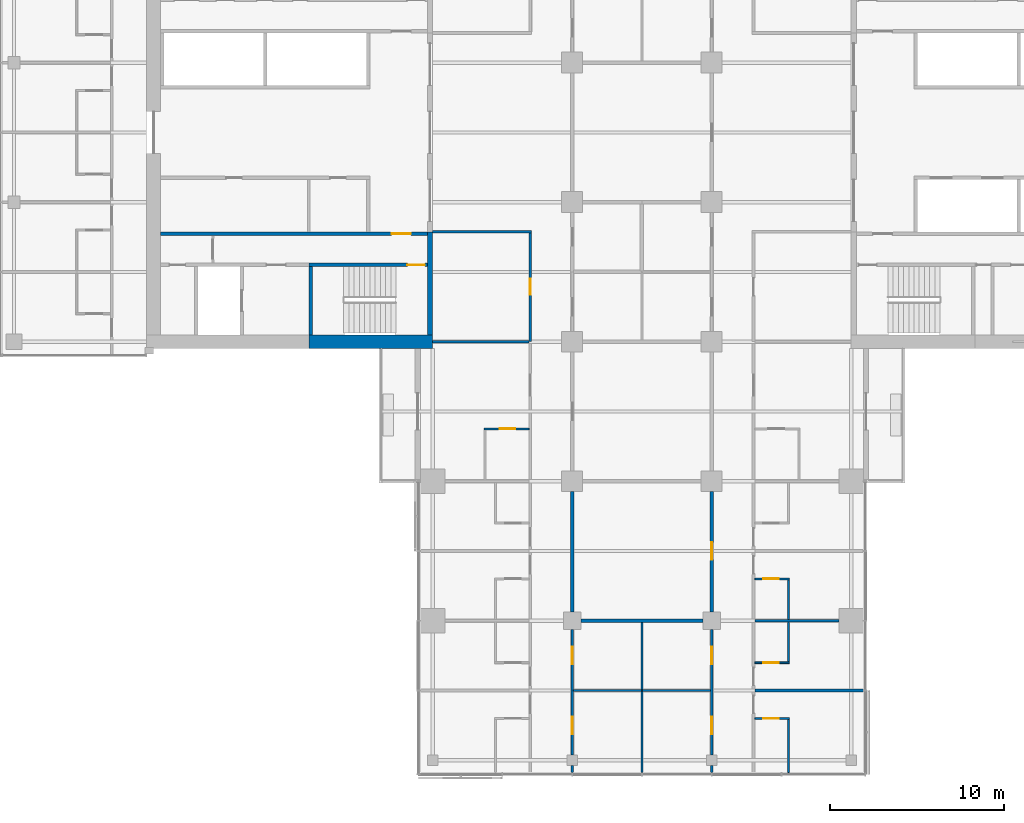
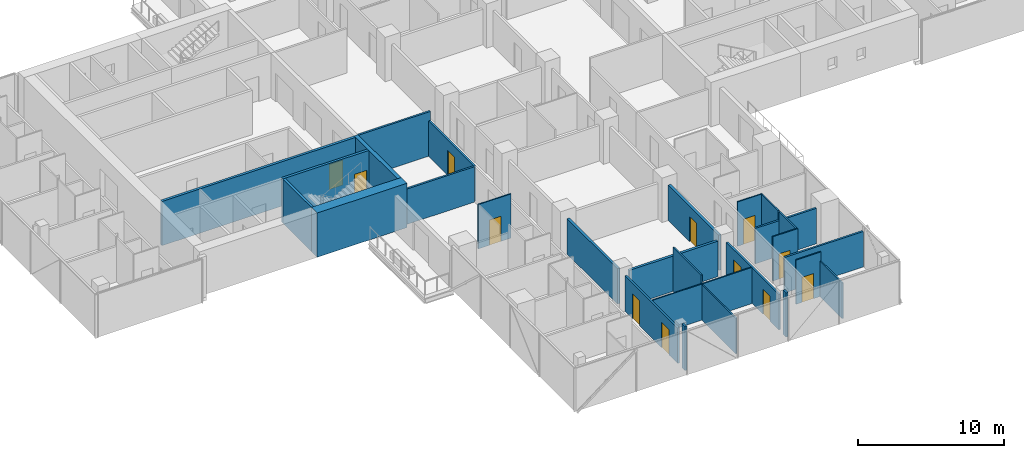
# One storey, part 16 of 29: 27 walls, 12 doors, 12 openings.
"""IFC4 building model written with IfcOpenShell, lengths in metres."""

from ifc_helpers import new_model, si_unit, direction, frame, frame_2d, origin, place, context, subcontext, project, spatial, rectangle, extrude, material, layer, layer_set, constituent, constituent_set, type_object, element, fill, save


model = new_model("IFC4")

# Units and contexts
model_context = context("Model", 3, precision=1e-05, world=origin(), true_north=direction((0.0, 1.0)))
body_context = subcontext(model_context, "Body", "Model", "MODEL_VIEW")
ifc_project = project(units=[si_unit("LENGTHUNIT", "METRE"), si_unit("AREAUNIT", "SQUARE_METRE"), si_unit("VOLUMEUNIT", "CUBIC_METRE"), si_unit("PLANEANGLEUNIT", "RADIAN"), si_unit("MASSUNIT", "GRAM", prefix="KILO")], contexts=[model_context])

# Site, building, storey
site_placement = place(None, origin())
site = spatial("IfcSite", under=ifc_project, at=site_placement, CompositionType="ELEMENT")
building_placement = place(site_placement, origin())
building = spatial("IfcBuilding", under=site, at=building_placement, Name="Crosswind Convention Tower", CompositionType="ELEMENT")
storey_placement = place(building_placement, frame((0.0, 0.0, 60.89990234375)))
storey = spatial("IfcBuildingStorey", under=building, at=storey_placement, Name="L09", CompositionType="ELEMENT", Elevation=60.89990234375)

# Wall
ifc_material_1 = material(Name="Plasterboard partition", Category="gypsum")
ifc_layer_1 = layer(ifc_material_1, 0.14990234375)
ifc_layer_set_1 = layer_set([ifc_layer_1], Name="CORRIDOR WALL 150")
wall_type_1 = type_object("IfcWallType", Name="CORRIDOR WALL 150", PredefinedType="PARTITIONING", material=ifc_layer_set_1)
wall_1_placement = place(storey_placement, frame((113.0, 94.300048828125, 0.0), z_axis=(0.0, 0.0, 1.0), x_axis=(1.0, 0.0, 0.0)))
element("IfcWall", 1, at=wall_1_placement, inside=storey, type_object=wall_type_1, Name="Corridor Wall 31", PredefinedType="PARTITIONING", context=body_context, shape_type="SweptSolid", body=[
    extrude(rectangle(XDim=5.675048828125, YDim=0.14990234375, at=frame_2d((2.83740234375, 0.0))), origin(), (0.0, 0.0, 1.0), 3.7001953125),
])

# Wall, opening, door
wall_2_placement = place(storey_placement, frame((118.60009765625, 88.0, 0.0), z_axis=(0.0, 0.0, 1.0), x_axis=(0.0, 1.0, 0.0)))
wall_2 = element("IfcWall", 2, at=wall_2_placement, inside=storey, type_object=wall_type_1, Name="Corridor Wall 104", PredefinedType="PARTITIONING", context=body_context, shape_type="SweptSolid", body=[
    extrude(rectangle(XDim=6.22509765625, YDim=0.14990234375, at=frame_2d((3.112548828125, 0.0))), origin(), (0.0, 0.0, 1.0), 2.95654296875),
])
opening_1_placement = place(wall_2_placement, frame((2.699951171875, 0.0, 0.0)))
opening_1 = element("IfcOpeningElement", 3, at=opening_1_placement, cuts=wall_2, Name="Opening 09.004", PredefinedType="OPENING", context=body_context, shape_type="SweptSolid", body=[
    extrude(rectangle(XDim=0.89990234375, YDim=2.10009765625, at=frame_2d((0.449951171875, 1.050048828125))), frame((0.0, 0.0849609375, 0.0), z_axis=(0.0, -1.0, 0.0), x_axis=(1.0, 0.0, 0.0)), (0.0, 0.0, 1.0), 0.169921875),
])
ifc_material_2 = material(Name="Timber door", Category="wood")
door_type_1 = type_object("IfcDoorType", Name="WC DOOR 900X2100", OperationType="NOTDEFINED", PredefinedType="DOOR", material=ifc_material_2)
door_1_placement = place(opening_1_placement, origin())
door_1 = element("IfcDoor", 4, at=door_1_placement, inside=storey, type_object=door_type_1, Name="Door 09.004", ObjectType="D7", OperationType="SINGLE_SWING_RIGHT", OverallHeight=2.10009765625, OverallWidth=0.89990234375, PredefinedType="DOOR", context=body_context, shape_type="SweptSolid", body=[
    extrude(rectangle(XDim=0.89990234375, YDim=2.10009765625, at=frame_2d((0.449951171875, 1.050048828125))), frame((0.0, 0.02490234375, 0.0), z_axis=(0.0, -1.0, 0.0), x_axis=(1.0, 0.0, 0.0)), (0.0, 0.0, 1.0), 0.050048828125),
])
fill(opening_1, door_1)

# Wall
wall_3_placement = place(storey_placement, frame((121.0, 63.300048828125, 0.0), z_axis=(0.0, 0.0, 1.0), x_axis=(0.0, 1.0, 0.0)))
element("IfcWall", 5, at=wall_3_placement, inside=storey, type_object=wall_type_1, Name="Corridor Wall 107", PredefinedType="PARTITIONING", context=body_context, shape_type="SweptSolid", body=[
    extrude(rectangle(XDim=0.39990234375, YDim=0.14990234375, at=frame_2d((0.199951171875, 0.0))), origin(), (0.0, 0.0, 1.0), 3.7001953125),
])

# Wall, openings, doors
wall_4_placement = place(storey_placement, frame((121.0, 64.300048828125, 0.0), z_axis=(0.0, 0.0, 1.0), x_axis=(0.0, 1.0, 0.0)))
wall_4 = element("IfcWall", 6, at=wall_4_placement, inside=storey, type_object=wall_type_1, Name="Corridor Wall 108", PredefinedType="PARTITIONING", context=body_context, shape_type="SweptSolid", body=[
    extrude(rectangle(XDim=7.199951171875, YDim=0.14990234375, at=frame_2d((3.60009765625, 0.0))), origin(), (0.0, 0.0, 1.0), 2.9599609375),
])
opening_2_placement = place(wall_4_placement, frame((1.199951171875, 0.0, 0.0)))
opening_2 = element("IfcOpeningElement", 7, at=opening_2_placement, cuts=wall_4, Name="Opening 09.069", PredefinedType="OPENING", context=body_context, shape_type="SweptSolid", body=[
    extrude(rectangle(XDim=1.0, YDim=2.10009765625, at=frame_2d((0.5, 1.050048828125))), frame((0.0, 0.0849609375, 0.0), z_axis=(0.0, -1.0, 0.0), x_axis=(1.0, 0.0, 0.0)), (0.0, 0.0, 1.0), 0.169921875),
])
opening_3_placement = place(wall_4_placement, frame((5.199951171875, 0.0, 0.0)))
opening_3 = element("IfcOpeningElement", 8, at=opening_3_placement, cuts=wall_4, Name="Opening 09.070", PredefinedType="OPENING", context=body_context, shape_type="SweptSolid", body=[
    extrude(rectangle(XDim=1.0, YDim=2.10009765625, at=frame_2d((0.5, 1.050048828125))), frame((0.0, 0.0849609375, 0.0), z_axis=(0.0, -1.0, 0.0), x_axis=(1.0, 0.0, 0.0)), (0.0, 0.0, 1.0), 0.169921875),
])
ifc_material_3 = material(Name="Timber fire door", Category="wood")
door_type_2 = type_object("IfcDoorType", Name="SERVICE ROOM DOOR 1000X2100", OperationType="NOTDEFINED", PredefinedType="DOOR", material=ifc_material_3)
door_2_placement = place(opening_2_placement, frame((1.0, 0.0, 0.0), z_axis=(0.0, 0.0, 1.0), x_axis=(-1.0, 0.0, 0.0)))
door_2 = element("IfcDoor", 9, at=door_2_placement, inside=storey, type_object=door_type_2, Name="Door 09.069", ObjectType="D3", OperationType="SINGLE_SWING_RIGHT", OverallHeight=2.10009765625, OverallWidth=1.0, PredefinedType="DOOR", context=body_context, shape_type="SweptSolid", body=[
    extrude(rectangle(XDim=1.0, YDim=2.10009765625, at=frame_2d((0.5, 1.050048828125))), frame((0.0, 0.02490234375, 0.0), z_axis=(0.0, -1.0, 0.0), x_axis=(1.0, 0.0, 0.0)), (0.0, 0.0, 1.0), 0.050048828125),
])
fill(opening_2, door_2)
door_3_placement = place(opening_3_placement, frame((1.0, 0.0, 0.0), z_axis=(0.0, 0.0, 1.0), x_axis=(-1.0, 0.0, 0.0)))
door_3 = element("IfcDoor", 10, at=door_3_placement, inside=storey, type_object=door_type_2, Name="Door 09.070", ObjectType="D3", OperationType="SINGLE_SWING_LEFT", OverallHeight=2.10009765625, OverallWidth=1.0, PredefinedType="DOOR", context=body_context, shape_type="SweptSolid", body=[
    extrude(rectangle(XDim=1.0, YDim=2.10009765625, at=frame_2d((0.5, 1.050048828125))), frame((0.0, 0.02490234375, 0.0), z_axis=(0.0, -1.0, 0.0), x_axis=(1.0, 0.0, 0.0)), (0.0, 0.0, 1.0), 0.050048828125),
])
fill(opening_3, door_3)

# Wall
wall_5_placement = place(storey_placement, frame((129.0, 63.300048828125, 0.0), z_axis=(0.0, 0.0, 1.0), x_axis=(0.0, 1.0, 0.0)))
element("IfcWall", 11, at=wall_5_placement, inside=storey, type_object=wall_type_1, Name="Corridor Wall 128", PredefinedType="PARTITIONING", context=body_context, shape_type="SweptSolid", body=[
    extrude(rectangle(XDim=0.39990234375, YDim=0.14990234375, at=frame_2d((0.199951171875, 0.0))), origin(), (0.0, 0.0, 1.0), 3.7001953125),
])

# Wall, openings, doors
wall_6_placement = place(storey_placement, frame((129.0, 64.300048828125, 0.0), z_axis=(0.0, 0.0, 1.0), x_axis=(0.0, 1.0, 0.0)))
wall_6 = element("IfcWall", 12, at=wall_6_placement, inside=storey, type_object=wall_type_1, Name="Corridor Wall 129", PredefinedType="PARTITIONING", context=body_context, shape_type="SweptSolid", body=[
    extrude(rectangle(XDim=7.199951171875, YDim=0.14990234375, at=frame_2d((3.60009765625, 0.0))), origin(), (0.0, 0.0, 1.0), 2.9599609375),
])
opening_4_placement = place(wall_6_placement, frame((1.199951171875, 0.0, 0.0)))
opening_4 = element("IfcOpeningElement", 13, at=opening_4_placement, cuts=wall_6, Name="Opening 09.071", PredefinedType="OPENING", context=body_context, shape_type="SweptSolid", body=[
    extrude(rectangle(XDim=1.0, YDim=2.10009765625, at=frame_2d((0.5, 1.050048828125))), frame((0.0, 0.0849609375, 0.0), z_axis=(0.0, -1.0, 0.0), x_axis=(1.0, 0.0, 0.0)), (0.0, 0.0, 1.0), 0.169921875),
])
opening_5_placement = place(wall_6_placement, frame((5.199951171875, 0.0, 0.0)))
opening_5 = element("IfcOpeningElement", 14, at=opening_5_placement, cuts=wall_6, Name="Opening 09.072", PredefinedType="OPENING", context=body_context, shape_type="SweptSolid", body=[
    extrude(rectangle(XDim=1.0, YDim=2.10009765625, at=frame_2d((0.5, 1.050048828125))), frame((0.0, 0.0849609375, 0.0), z_axis=(0.0, -1.0, 0.0), x_axis=(1.0, 0.0, 0.0)), (0.0, 0.0, 1.0), 0.169921875),
])
door_4_placement = place(opening_4_placement, origin())
door_4 = element("IfcDoor", 15, at=door_4_placement, inside=storey, type_object=door_type_2, Name="Door 09.071", ObjectType="D3", OperationType="SINGLE_SWING_LEFT", OverallHeight=2.10009765625, OverallWidth=1.0, PredefinedType="DOOR", context=body_context, shape_type="SweptSolid", body=[
    extrude(rectangle(XDim=1.0, YDim=2.10009765625, at=frame_2d((0.5, 1.050048828125))), frame((0.0, 0.02490234375, 0.0), z_axis=(0.0, -1.0, 0.0), x_axis=(1.0, 0.0, 0.0)), (0.0, 0.0, 1.0), 0.050048828125),
])
fill(opening_4, door_4)
door_5_placement = place(opening_5_placement, origin())
door_5 = element("IfcDoor", 16, at=door_5_placement, inside=storey, type_object=door_type_2, Name="Door 09.072", ObjectType="D3", OperationType="SINGLE_SWING_RIGHT", OverallHeight=2.10009765625, OverallWidth=1.0, PredefinedType="DOOR", context=body_context, shape_type="SweptSolid", body=[
    extrude(rectangle(XDim=1.0, YDim=2.10009765625, at=frame_2d((0.5, 1.050048828125))), frame((0.0, 0.02490234375, 0.0), z_axis=(0.0, -1.0, 0.0), x_axis=(1.0, 0.0, 0.0)), (0.0, 0.0, 1.0), 0.050048828125),
])
fill(opening_5, door_5)

# Wall
ifc_material_4 = material(Name="Concrete C50/60", Category="concrete")
ifc_layer_2 = layer(ifc_material_4, 0.300048828125)
ifc_layer_set_2 = layer_set([ifc_layer_2], Name="Concrete C50/60")
wall_type_2 = type_object("IfcWallType", Name="Concrete inner core wall 300", PredefinedType="SHEAR", material=ifc_layer_set_2)
wall_7_placement = place(storey_placement, frame((112.85009765625, 94.300048828125, 0.0), z_axis=(0.0, 0.0, 1.0), x_axis=(0.0, -1.0, 0.0)))
element("IfcWall", 17, at=wall_7_placement, inside=storey, type_object=wall_type_2, Name="Wall EP W L09", PredefinedType="SHEAR", context=body_context, shape_type="SweptSolid", body=[
    extrude(rectangle(XDim=5.900146484375, YDim=0.300048828125, at=frame_2d((2.9501953125, 0.0))), origin(), (0.0, 0.0, 1.0), 3.7001953125),
])

# Wall, opening, door
ifc_layer_3 = layer(ifc_material_4, 0.199951171875)
ifc_layer_set_3 = layer_set([ifc_layer_3], Name="Concrete C50/60")
wall_type_3 = type_object("IfcWallType", Name="Concrete shaft and stair wall 200", PredefinedType="SHEAR", material=ifc_layer_set_3)
wall_8_placement = place(storey_placement, frame((112.699951171875, 94.199951171875, 0.0), z_axis=(0.0, 0.0, 1.0), x_axis=(-1.0, 0.0, 0.0)))
wall_8 = element("IfcWall", 18, at=wall_8_placement, inside=storey, type_object=wall_type_3, Name="Wall HP W L09", PredefinedType="SHEAR", context=body_context, shape_type="SweptSolid", body=[
    extrude(rectangle(XDim=15.300048828125, YDim=0.199951171875, at=frame_2d((7.64990234375, 0.0))), origin(), (0.0, 0.0, 1.0), 3.7001953125),
])
opening_6_placement = place(wall_8_placement, frame((0.949951171875, 0.0, 0.0)))
opening_6 = element("IfcOpeningElement", 19, at=opening_6_placement, cuts=wall_8, Name="Opening D104", PredefinedType="OPENING", context=body_context, shape_type="SweptSolid", body=[
    extrude(rectangle(XDim=1.10009765625, YDim=2.10009765625, at=frame_2d((0.550048828125, 1.050048828125))), frame((0.0, 0.10986328125, 0.0), z_axis=(0.0, -1.0, 0.0), x_axis=(1.0, 0.0, 0.0)), (0.0, 0.0, 1.0), 0.219970703125),
])
ifc_material_5 = material(Name="Steel fire door", Category="steel")
door_type_3 = type_object("IfcDoorType", Name="Fire-rated single door 1100x2100", OperationType="NOTDEFINED", PredefinedType="DOOR", material=ifc_material_5)
door_6_placement = place(opening_6_placement, origin())
door_6 = element("IfcDoor", 20, at=door_6_placement, inside=storey, type_object=door_type_3, Name="Corridor door L09", ObjectType="D104", OperationType="SINGLE_SWING_LEFT", OverallHeight=2.10009765625, OverallWidth=1.10009765625, PredefinedType="DOOR", context=body_context, shape_type="SweptSolid", body=[
    extrude(rectangle(XDim=1.10009765625, YDim=2.10009765625, at=frame_2d((0.550048828125, 1.050048828125))), frame((0.0, 0.02490234375, 0.0), z_axis=(0.0, -1.0, 0.0), x_axis=(1.0, 0.0, 0.0)), (0.0, 0.0, 1.0), 0.050048828125),
])
fill(opening_6, door_6)

# Wall
wall_9_placement = place(storey_placement, frame((106.0, 92.300048828125, 0.0), z_axis=(0.0, 0.0, 1.0), x_axis=(0.0, -1.0, 0.0)))
element("IfcWall", 21, at=wall_9_placement, inside=storey, type_object=wall_type_3, Name="Wall PSE W L09", PredefinedType="SHEAR", context=body_context, shape_type="SweptSolid", body=[
    extrude(rectangle(XDim=3.900146484375, YDim=0.199951171875, at=frame_2d((1.9501953125, 0.0))), origin(), (0.0, 0.0, 1.0), 3.7001953125),
])

# Wall, opening, door
wall_10_placement = place(storey_placement, frame((112.699951171875, 92.39990234375, 0.0), z_axis=(0.0, 0.0, 1.0), x_axis=(-1.0, 0.0, 0.0)))
wall_10 = element("IfcWall", 22, at=wall_10_placement, inside=storey, type_object=wall_type_3, Name="Wall PCW W L09", PredefinedType="SHEAR", context=body_context, shape_type="SweptSolid", body=[
    extrude(rectangle(XDim=6.800048828125, YDim=0.199951171875, at=frame_2d((3.39990234375, 0.0))), origin(), (0.0, 0.0, 1.0), 3.7001953125),
])
opening_7_placement = place(wall_10_placement, frame((0.14990234375, 0.0, 0.0)))
opening_7 = element("IfcOpeningElement", 23, at=opening_7_placement, cuts=wall_10, Name="Opening D103", PredefinedType="OPENING", context=body_context, shape_type="SweptSolid", body=[
    extrude(rectangle(XDim=1.0, YDim=2.10009765625, at=frame_2d((0.5, 1.050048828125))), frame((0.0, 0.10986328125, 0.0), z_axis=(0.0, -1.0, 0.0), x_axis=(1.0, 0.0, 0.0)), (0.0, 0.0, 1.0), 0.219970703125),
])
door_type_4 = type_object("IfcDoorType", Name="Fire-rated single door 1000x2100", OperationType="NOTDEFINED", PredefinedType="DOOR", material=ifc_material_5)
door_7_placement = place(opening_7_placement, origin())
door_7 = element("IfcDoor", 24, at=door_7_placement, inside=storey, type_object=door_type_4, Name="Stair ST3 door L09", ObjectType="D103", OperationType="SINGLE_SWING_LEFT", OverallHeight=2.10009765625, OverallWidth=1.0, PredefinedType="DOOR", context=body_context, shape_type="SweptSolid", body=[
    extrude(rectangle(XDim=1.0, YDim=2.10009765625, at=frame_2d((0.5, 1.050048828125))), frame((0.0, 0.02490234375, 0.0), z_axis=(0.0, -1.0, 0.0), x_axis=(1.0, 0.0, 0.0)), (0.0, 0.0, 1.0), 0.050048828125),
])
fill(opening_7, door_7)

# Walls
ifc_material_6 = material(Name="Acoustic plasterboard partition", Category="gypsum")
ifc_layer_4 = layer(ifc_material_6, 0.14990234375)
ifc_layer_set_4 = layer_set([ifc_layer_4], Name="GUEST ROOM WALL 150")
wall_type_4 = type_object("IfcWallType", Name="GUEST ROOM WALL 150", PredefinedType="PARTITIONING", material=ifc_layer_set_4)
wall_11_placement = place(storey_placement, frame((131.47509765625, 68.0, 0.0), z_axis=(0.0, 0.0, 1.0), x_axis=(1.0, 0.0, 0.0)))
element("IfcWall", 25, at=wall_11_placement, inside=storey, type_object=wall_type_4, Name="Guest Room Wall 5", PredefinedType="PARTITIONING", context=body_context, shape_type="SweptSolid", body=[
    extrude(rectangle(XDim=6.224853515625, YDim=0.14990234375, at=frame_2d((3.1123046875, 0.0))), origin(), (0.0, 0.0, 1.0), 2.962890625),
])
wall_12_placement = place(storey_placement, frame((131.47509765625, 72.0, 0.0), z_axis=(0.0, 0.0, 1.0), x_axis=(1.0, 0.0, 0.0)))
element("IfcWall", 26, at=wall_12_placement, inside=storey, type_object=wall_type_4, Name="Guest Room Wall 10", PredefinedType="PARTITIONING", context=body_context, shape_type="SweptSolid", body=[
    extrude(rectangle(XDim=4.824951171875, YDim=0.14990234375, at=frame_2d((2.41259765625, 0.0))), origin(), (0.0, 0.0, 1.0), 2.9599609375),
])
wall_13_placement = place(storey_placement, frame((113.0, 88.0, 0.0), z_axis=(0.0, 0.0, 1.0), x_axis=(1.0, 0.0, 0.0)))
element("IfcWall", 27, at=wall_13_placement, inside=storey, type_object=wall_type_4, Name="Guest Room Wall 22", PredefinedType="PARTITIONING", context=body_context, shape_type="SweptSolid", body=[
    extrude(rectangle(XDim=5.52490234375, YDim=0.14990234375, at=frame_2d((2.762451171875, 0.0))), origin(), (0.0, 0.0, 1.0), 2.95654296875),
])
ifc_material_7 = material(Name="Double plasterboard partition", Category="gypsum")
ifc_layer_5 = layer(ifc_material_7, 0.199951171875)
ifc_layer_set_5 = layer_set([ifc_layer_5], Name="HALL WALL 200")
wall_type_5 = type_object("IfcWallType", Name="HALL WALL 200", PredefinedType="PARTITIONING", material=ifc_layer_set_5)
wall_14_placement = place(storey_placement, frame((121.5, 72.0, 0.0), z_axis=(0.0, 0.0, 1.0), x_axis=(1.0, 0.0, 0.0)))
element("IfcWall", 28, at=wall_14_placement, inside=storey, type_object=wall_type_5, Name="Hall Wall 9", PredefinedType="PARTITIONING", context=body_context, shape_type="SweptSolid", body=[
    extrude(rectangle(XDim=7.0, YDim=0.199951171875, at=frame_2d((3.5, 0.0))), origin(), (0.0, 0.0, 1.0), 2.9599609375),
])
wall_15_placement = place(storey_placement, frame((121.0, 72.5, 0.0), z_axis=(0.0, 0.0, 1.0), x_axis=(0.0, 1.0, 0.0)))
element("IfcWall", 29, at=wall_15_placement, inside=storey, type_object=wall_type_5, Name="Hall Wall 109", PredefinedType="PARTITIONING", context=body_context, shape_type="SweptSolid", body=[
    extrude(rectangle(XDim=6.89990234375, YDim=0.199951171875, at=frame_2d((3.449951171875, 0.0))), origin(), (0.0, 0.0, 1.0), 2.9599609375),
])

# Wall, opening, door
wall_16_placement = place(storey_placement, frame((129.0, 72.5, 0.0), z_axis=(0.0, 0.0, 1.0), x_axis=(0.0, 1.0, 0.0)))
wall_16 = element("IfcWall", 30, at=wall_16_placement, inside=storey, type_object=wall_type_5, Name="Hall Wall 130", PredefinedType="PARTITIONING", context=body_context, shape_type="SweptSolid", body=[
    extrude(rectangle(XDim=6.89990234375, YDim=0.199951171875, at=frame_2d((3.449951171875, 0.0))), origin(), (0.0, 0.0, 1.0), 2.9599609375),
])
opening_8_placement = place(wall_16_placement, frame((3.0, 0.0, 0.0)))
opening_8 = element("IfcOpeningElement", 31, at=opening_8_placement, cuts=wall_16, Name="Opening 09.073", PredefinedType="OPENING", context=body_context, shape_type="SweptSolid", body=[
    extrude(rectangle(XDim=1.0, YDim=2.10009765625, at=frame_2d((0.5, 1.050048828125))), frame((0.0, 0.10986328125, 0.0), z_axis=(0.0, -1.0, 0.0), x_axis=(1.0, 0.0, 0.0)), (0.0, 0.0, 1.0), 0.219970703125),
])
door_type_5 = type_object("IfcDoorType", Name="MEETING ROOM DOOR 1000X2100", OperationType="NOTDEFINED", PredefinedType="DOOR", material=ifc_material_3)
door_8_placement = place(opening_8_placement, frame((1.0, 0.0, 0.0), z_axis=(0.0, 0.0, 1.0), x_axis=(-1.0, 0.0, 0.0)))
door_8 = element("IfcDoor", 32, at=door_8_placement, inside=storey, type_object=door_type_5, Name="Door 09.073", ObjectType="D13", OperationType="SINGLE_SWING_LEFT", OverallHeight=2.10009765625, OverallWidth=1.0, PredefinedType="DOOR", context=body_context, shape_type="SweptSolid", body=[
    extrude(rectangle(XDim=1.0, YDim=2.10009765625, at=frame_2d((0.5, 1.050048828125))), frame((0.0, 0.02490234375, 0.0), z_axis=(0.0, -1.0, 0.0), x_axis=(1.0, 0.0, 0.0)), (0.0, 0.0, 1.0), 0.050048828125),
])
fill(opening_8, door_8)

# Walls
ifc_layer_6 = layer(ifc_material_1, 0.10009765625)
ifc_layer_set_6 = layer_set([ifc_layer_6], Name="PARTITION 100")
wall_type_6 = type_object("IfcWallType", Name="PARTITION 100", PredefinedType="PARTITIONING", material=ifc_layer_set_6)
wall_17_placement = place(storey_placement, frame((121.074951171875, 68.0, 0.0), z_axis=(0.0, 0.0, 1.0), x_axis=(1.0, 0.0, 0.0)))
element("IfcWall", 33, at=wall_17_placement, inside=storey, type_object=wall_type_6, Name="Partition 4", PredefinedType="PARTITIONING", context=body_context, shape_type="SweptSolid", body=[
    extrude(rectangle(XDim=7.85009765625, YDim=0.10009765625, at=frame_2d((3.925048828125, 0.0))), origin(), (0.0, 0.0, 1.0), 3.013671875),
])
wall_18_placement = place(storey_placement, frame((125.0, 63.300048828125, 0.0), z_axis=(0.0, 0.0, 1.0), x_axis=(0.0, 1.0, 0.0)))
element("IfcWall", 34, at=wall_18_placement, inside=storey, type_object=wall_type_6, Name="Partition 120", PredefinedType="PARTITIONING", context=body_context, shape_type="SweptSolid", body=[
    extrude(rectangle(XDim=4.64990234375, YDim=0.10009765625, at=frame_2d((2.324951171875, 0.0))), origin(), (0.0, 0.0, 1.0), 2.962890625),
])
wall_19_placement = place(storey_placement, frame((125.0, 68.050048828125, 0.0), z_axis=(0.0, 0.0, 1.0), x_axis=(0.0, 1.0, 0.0)))
element("IfcWall", 35, at=wall_19_placement, inside=storey, type_object=wall_type_6, Name="Partition 121", PredefinedType="PARTITIONING", context=body_context, shape_type="SweptSolid", body=[
    extrude(rectangle(XDim=3.849853515625, YDim=0.10009765625, at=frame_2d((1.9248046875, 0.0))), origin(), (0.0, 0.0, 1.0), 3.7001953125),
])
ifc_material_8 = material(Name="Concrete C60/75", Category="concrete")
ifc_constituent_1 = constituent(ifc_material_8, Name="Structure")
ifc_material_9 = material(Name="Terracotta rainscreen", Category="ceramic")
ifc_constituent_2 = constituent(ifc_material_9, Name="Facing")
ifc_constituent_set = constituent_set(constituents=[ifc_constituent_1, ifc_constituent_2], Name="Concrete C60/75, Terracotta rainscreen")
wall_type_7 = type_object("IfcWallType", Name="Terracotta rainscreen on concrete core wall 800", PredefinedType="SHEAR", material=ifc_constituent_set)
wall_20_placement = place(storey_placement, frame((113.0, 88.0, 0.0), z_axis=(0.0, 0.0, 1.0), x_axis=(-1.0, 0.0, 0.0)))
element("IfcWall", 36, at=wall_20_placement, inside=storey, type_object=wall_type_7, Name="Wall N1 W L09", PredefinedType="SHEAR", context=body_context, shape_type="SweptSolid", body=[
    extrude(rectangle(XDim=7.10009765625, YDim=0.800048828125, at=frame_2d((3.550048828125, 0.0))), origin(), (0.0, 0.0, 1.0), 3.7001953125),
])

# Wall, opening, door
ifc_material_10 = material(Name="Water-resistant plasterboard partition", Category="gypsum")
ifc_layer_7 = layer(ifc_material_10, 0.10009765625)
ifc_layer_set_7 = layer_set([ifc_layer_7], Name="WET ROOM PARTITION 100")
wall_type_8 = type_object("IfcWallType", Name="WET ROOM PARTITION 100", PredefinedType="PLUMBINGWALL", material=ifc_layer_set_7)
wall_21_placement = place(storey_placement, frame((131.47509765625, 66.39990234375, 0.0), z_axis=(0.0, 0.0, 1.0), x_axis=(1.0, 0.0, 0.0)))
wall_21 = element("IfcWall", 37, at=wall_21_placement, inside=storey, type_object=wall_type_8, Name="Wet Room Partition 2", PredefinedType="PLUMBINGWALL", context=body_context, shape_type="SweptSolid", body=[
    extrude(rectangle(XDim=1.974853515625, YDim=0.10009765625, at=frame_2d((0.9873046875, 0.0))), origin(), (0.0, 0.0, 1.0), 3.7001953125),
])
opening_9_placement = place(wall_21_placement, frame((0.47509765625, 0.0, 0.0)))
opening_9 = element("IfcOpeningElement", 38, at=opening_9_placement, cuts=wall_21, Name="Opening 09.034", PredefinedType="OPENING", context=body_context, shape_type="SweptSolid", body=[
    extrude(rectangle(XDim=0.89990234375, YDim=2.10009765625, at=frame_2d((0.449951171875, 1.050048828125))), frame((0.0, 0.06005859375, 0.0), z_axis=(0.0, -1.0, 0.0), x_axis=(1.0, 0.0, 0.0)), (0.0, 0.0, 1.0), 0.1201171875),
])
door_type_6 = type_object("IfcDoorType", Name="EN-SUITE DOOR 900X2100", OperationType="NOTDEFINED", PredefinedType="DOOR", material=ifc_material_2)
door_9_placement = place(opening_9_placement, frame((0.89990234375, 0.0, 0.0), z_axis=(0.0, 0.0, 1.0), x_axis=(-1.0, 0.0, 0.0)))
door_9 = element("IfcDoor", 39, at=door_9_placement, inside=storey, type_object=door_type_6, Name="Door 09.034", ObjectType="D2", OperationType="SINGLE_SWING_LEFT", OverallHeight=2.10009765625, OverallWidth=0.89990234375, PredefinedType="DOOR", context=body_context, shape_type="SweptSolid", body=[
    extrude(rectangle(XDim=0.89990234375, YDim=2.10009765625, at=frame_2d((0.449951171875, 1.050048828125))), frame((0.0, 0.02490234375, 0.0), z_axis=(0.0, -1.0, 0.0), x_axis=(1.0, 0.0, 0.0)), (0.0, 0.0, 1.0), 0.050048828125),
])
fill(opening_9, door_9)

wall_22_placement = place(storey_placement, frame((131.47509765625, 69.60009765625, 0.0), z_axis=(0.0, 0.0, 1.0), x_axis=(1.0, 0.0, 0.0)))
wall_22 = element("IfcWall", 40, at=wall_22_placement, inside=storey, type_object=wall_type_8, Name="Wet Room Partition 7", PredefinedType="PLUMBINGWALL", context=body_context, shape_type="SweptSolid", body=[
    extrude(rectangle(XDim=1.974853515625, YDim=0.10009765625, at=frame_2d((0.9873046875, 0.0))), origin(), (0.0, 0.0, 1.0), 3.7001953125),
])
opening_10_placement = place(wall_22_placement, frame((0.47509765625, 0.0, 0.0)))
opening_10 = element("IfcOpeningElement", 41, at=opening_10_placement, cuts=wall_22, Name="Opening 09.032", PredefinedType="OPENING", context=body_context, shape_type="SweptSolid", body=[
    extrude(rectangle(XDim=0.89990234375, YDim=2.10009765625, at=frame_2d((0.449951171875, 1.050048828125))), frame((0.0, 0.06005859375, 0.0), z_axis=(0.0, -1.0, 0.0), x_axis=(1.0, 0.0, 0.0)), (0.0, 0.0, 1.0), 0.1201171875),
])
door_10_placement = place(opening_10_placement, origin())
door_10 = element("IfcDoor", 42, at=door_10_placement, inside=storey, type_object=door_type_6, Name="Door 09.032", ObjectType="D2", OperationType="SINGLE_SWING_RIGHT", OverallHeight=2.10009765625, OverallWidth=0.89990234375, PredefinedType="DOOR", context=body_context, shape_type="SweptSolid", body=[
    extrude(rectangle(XDim=0.89990234375, YDim=2.10009765625, at=frame_2d((0.449951171875, 1.050048828125))), frame((0.0, 0.02490234375, 0.0), z_axis=(0.0, -1.0, 0.0), x_axis=(1.0, 0.0, 0.0)), (0.0, 0.0, 1.0), 0.050048828125),
])
fill(opening_10, door_10)

wall_23_placement = place(storey_placement, frame((131.47509765625, 74.39990234375, 0.0), z_axis=(0.0, 0.0, 1.0), x_axis=(1.0, 0.0, 0.0)))
wall_23 = element("IfcWall", 43, at=wall_23_placement, inside=storey, type_object=wall_type_8, Name="Wet Room Partition 12", PredefinedType="PLUMBINGWALL", context=body_context, shape_type="SweptSolid", body=[
    extrude(rectangle(XDim=1.974853515625, YDim=0.10009765625, at=frame_2d((0.9873046875, 0.0))), origin(), (0.0, 0.0, 1.0), 3.7001953125),
])
opening_11_placement = place(wall_23_placement, frame((0.47509765625, 0.0, 0.0)))
opening_11 = element("IfcOpeningElement", 44, at=opening_11_placement, cuts=wall_23, Name="Opening 09.030", PredefinedType="OPENING", context=body_context, shape_type="SweptSolid", body=[
    extrude(rectangle(XDim=0.89990234375, YDim=2.10009765625, at=frame_2d((0.449951171875, 1.050048828125))), frame((0.0, 0.06005859375, 0.0), z_axis=(0.0, -1.0, 0.0), x_axis=(1.0, 0.0, 0.0)), (0.0, 0.0, 1.0), 0.1201171875),
])
door_11_placement = place(opening_11_placement, frame((0.89990234375, 0.0, 0.0), z_axis=(0.0, 0.0, 1.0), x_axis=(-1.0, 0.0, 0.0)))
door_11 = element("IfcDoor", 45, at=door_11_placement, inside=storey, type_object=door_type_6, Name="Door 09.030", ObjectType="D2", OperationType="SINGLE_SWING_LEFT", OverallHeight=2.10009765625, OverallWidth=0.89990234375, PredefinedType="DOOR", context=body_context, shape_type="SweptSolid", body=[
    extrude(rectangle(XDim=0.89990234375, YDim=2.10009765625, at=frame_2d((0.449951171875, 1.050048828125))), frame((0.0, 0.02490234375, 0.0), z_axis=(0.0, -1.0, 0.0), x_axis=(1.0, 0.0, 0.0)), (0.0, 0.0, 1.0), 0.050048828125),
])
fill(opening_11, door_11)

wall_24_placement = place(storey_placement, frame((115.949951171875, 83.0, 0.0), z_axis=(0.0, 0.0, 1.0), x_axis=(1.0, 0.0, 0.0)))
wall_24 = element("IfcWall", 46, at=wall_24_placement, inside=storey, type_object=wall_type_8, Name="Wet Room Partition 20", PredefinedType="PLUMBINGWALL", context=body_context, shape_type="SweptSolid", body=[
    extrude(rectangle(XDim=2.574951171875, YDim=0.10009765625, at=frame_2d((1.28759765625, 0.0))), origin(), (0.0, 0.0, 1.0), 3.7001953125),
])
opening_12_placement = place(wall_24_placement, frame((0.89990234375, 0.0, 0.0)))
opening_12 = element("IfcOpeningElement", 47, at=opening_12_placement, cuts=wall_24, Name="Opening 09.036", PredefinedType="OPENING", context=body_context, shape_type="SweptSolid", body=[
    extrude(rectangle(XDim=0.89990234375, YDim=2.10009765625, at=frame_2d((0.449951171875, 1.050048828125))), frame((0.0, 0.06005859375, 0.0), z_axis=(0.0, -1.0, 0.0), x_axis=(1.0, 0.0, 0.0)), (0.0, 0.0, 1.0), 0.1201171875),
])
door_12_placement = place(opening_12_placement, frame((0.89990234375, 0.0, 0.0), z_axis=(0.0, 0.0, 1.0), x_axis=(-1.0, 0.0, 0.0)))
door_12 = element("IfcDoor", 48, at=door_12_placement, inside=storey, type_object=door_type_6, Name="Door 09.036", ObjectType="D2", OperationType="SINGLE_SWING_LEFT", OverallHeight=2.10009765625, OverallWidth=0.89990234375, PredefinedType="DOOR", context=body_context, shape_type="SweptSolid", body=[
    extrude(rectangle(XDim=0.89990234375, YDim=2.10009765625, at=frame_2d((0.449951171875, 1.050048828125))), frame((0.0, 0.02490234375, 0.0), z_axis=(0.0, -1.0, 0.0), x_axis=(1.0, 0.0, 0.0)), (0.0, 0.0, 1.0), 0.050048828125),
])
fill(opening_12, door_12)

# Walls
wall_25_placement = place(storey_placement, frame((133.39990234375, 63.300048828125, 0.0), z_axis=(0.0, 0.0, 1.0), x_axis=(0.0, 1.0, 0.0)))
element("IfcWall", 49, at=wall_25_placement, inside=storey, type_object=wall_type_8, Name="Wet Room Partition 143", PredefinedType="PLUMBINGWALL", context=body_context, shape_type="SweptSolid", body=[
    extrude(rectangle(XDim=3.050048828125, YDim=0.10009765625, at=frame_2d((1.52490234375, 0.0))), origin(), (0.0, 0.0, 1.0), 2.962890625),
])
for number, where, z_axis, x_axis, name in (
    (50, (133.39990234375, 69.64990234375, 0.0), (0.0, 0.0, 1.0), (0.0, 1.0, 0.0), "Wet Room Partition 144"),
    (51, (133.39990234375, 72.074951171875, 0.0), (0.0, 0.0, 1.0), (0.0, 1.0, 0.0), "Wet Room Partition 145"),
):
    element("IfcWall", number, at=place(storey_placement, frame(where, z_axis=z_axis, x_axis=x_axis)), inside=storey, type_object=wall_type_8, Name=name, PredefinedType="PLUMBINGWALL", context=body_context, shape_type="SweptSolid", body=[
        extrude(rectangle(XDim=2.275146484375, YDim=0.10009765625, at=frame_2d((1.1376953125, 0.0))), origin(), (0.0, 0.0, 1.0), 3.7001953125),
    ])

save(model, "model.ifc")
